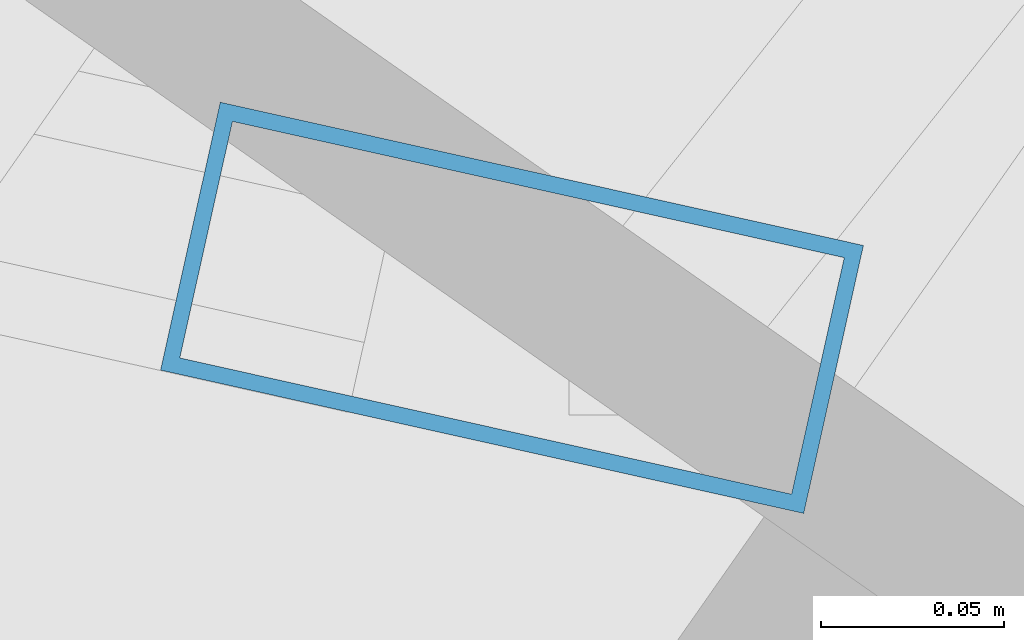
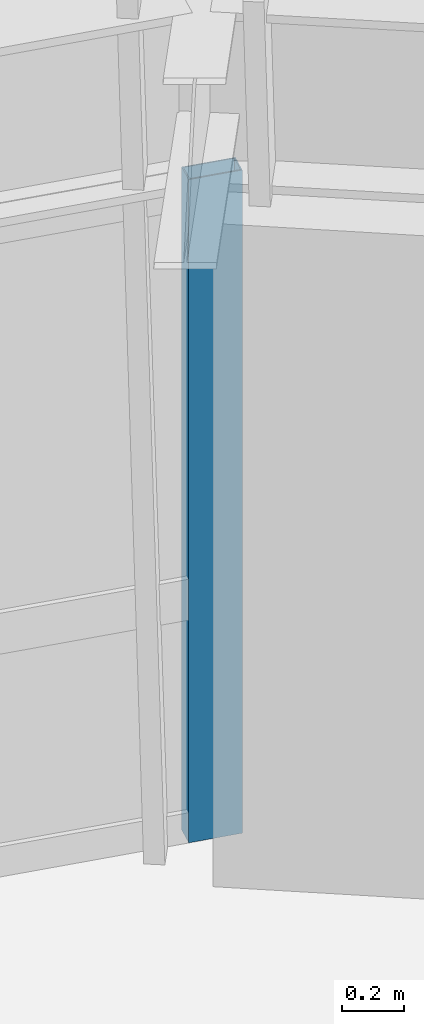
# One storey, part 13 of 24: 1 member, 1 element without a shape of its own.
"""IFC4 building model written with IfcOpenShell, lengths in metres."""

from ifc_helpers import new_model, si_unit, direction, frame, origin, origin_2d, place, context, subcontext, project, spatial, hollow_rectangle, extrude, source, transform, mapped, material, material_profile, profile_set, type_object, element, aggregate, save


model = new_model("IFC4")

# Units and contexts
model_context = context("Model", 3, precision=1e-05, world=origin(), true_north=direction((0.0, 1.0)))
body_context = subcontext(model_context, "Body", "Model", "MODEL_VIEW")
ifc_project = project(units=[si_unit("LENGTHUNIT", "METRE"), si_unit("AREAUNIT", "SQUARE_METRE"), si_unit("VOLUMEUNIT", "CUBIC_METRE"), si_unit("PLANEANGLEUNIT", "RADIAN"), si_unit("MASSUNIT", "GRAM", prefix="KILO")], contexts=[model_context])

# Site, building, storey
site_placement = place(None, origin())
site = spatial("IfcSite", under=ifc_project, at=site_placement, CompositionType="ELEMENT")
building_placement = place(site_placement, origin())
building = spatial("IfcBuilding", under=site, at=building_placement, Name="Olszyna Solenne Hotel", CompositionType="ELEMENT")
storey_placement = place(building_placement, frame((0.0, 0.0, 36.39990234375)))
storey = spatial("IfcBuildingStorey", under=building, at=storey_placement, Name="L08", CompositionType="ELEMENT", Elevation=36.39990234375)

# Curtain wall, member
ifc_material = material(Name="Anodised bronze aluminium", Category="aluminium")
curtain_wall_type = type_object("IfcCurtainWallType", Name="CW-SYS-2", PredefinedType="NOTDEFINED", material=ifc_material)
curtain_wall_placement = place(storey_placement, origin())
curtain_wall = element("IfcCurtainWall", 1, at=curtain_wall_placement, inside=storey, type_object=curtain_wall_type, Name="Unitised curtain wall CW-SYS-2 CW-L08-02", PredefinedType="NOTDEFINED")
ifc_material_profile = material_profile(ifc_material, hollow_rectangle(XDim=0.074951171875, YDim=0.179931640625, WallThickness=0.00439453125, at=origin_2d()), Name="MULL 180x75x4.5", Category="load-bearing")
ifc_profile_set = profile_set([ifc_material_profile], Name="Anodised bronze aluminium")
member_type = type_object("IfcMemberType", Name="CW-M2", PredefinedType="MULLION", material=ifc_profile_set)
shared_shape = source(origin(), body_context, "Body", "SweptSolid", [
    extrude(hollow_rectangle(XDim=0.074951171875, YDim=0.179931640625, WallThickness=0.00439453125, at=origin_2d()), origin(), (0.0, 0.0, 1.0), 2.592041015625),
])
member_placement = place(storey_placement, frame((49.44677734375, 42.973388671875, 0.0), z_axis=(0.0, 0.0, 1.0), x_axis=(0.217365299555, 0.976090327044, 0.0)))
member = element("IfcMember", 2, at=member_placement, type_object=member_type, Name="Curtain-wall mullion CW-M2 CM-L08-02-04", PredefinedType="MULLION", context=body_context, shape_type="MappedRepresentation", body=[
    mapped(shared_shape, transform((0.0, 0.0, 0.0), x_axis=(1.0, 0.0, 0.0), y_axis=(0.0, 1.0, 0.0), z_axis=(0.0, 0.0, 1.0), scale=1.0)),
])
aggregate(curtain_wall, [member])

save(model, "model.ifc")
